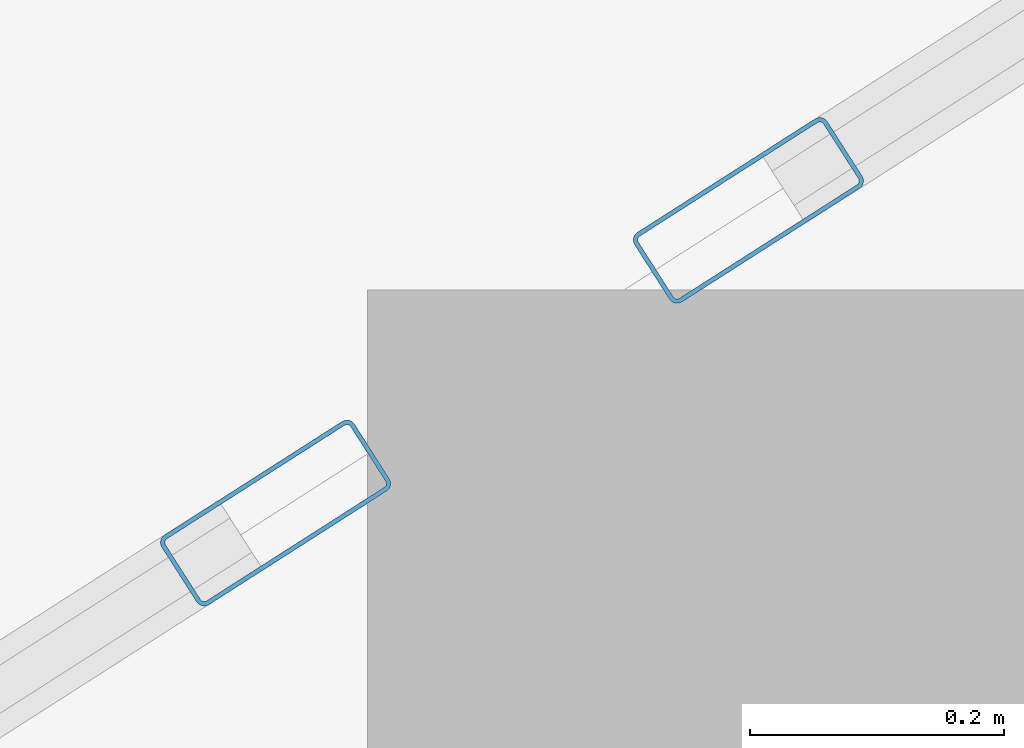
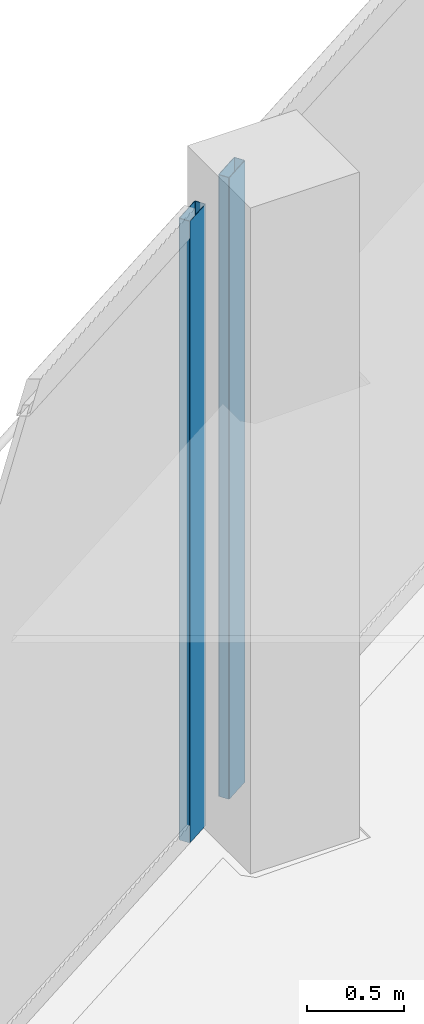
# One storey, part 16 of 42: 2 members, 2 elements without a shape of their own.
"""IFC4 building model written with IfcOpenShell, lengths in metres."""

from ifc_helpers import new_model, si_unit, direction, frame, origin, origin_2d, place, context, subcontext, project, spatial, hollow_rectangle, extrude, material, layer, layer_set, material_profile, profile_set, type_object, element, aggregate, save


model = new_model("IFC4")

# Units and contexts
model_context = context("Model", 3, precision=1e-05, world=origin(), true_north=direction((0.0, 1.0)))
body_context = subcontext(model_context, "Body", "Model", "MODEL_VIEW")
ifc_project = project(units=[si_unit("LENGTHUNIT", "METRE"), si_unit("AREAUNIT", "SQUARE_METRE"), si_unit("VOLUMEUNIT", "CUBIC_METRE"), si_unit("PLANEANGLEUNIT", "RADIAN"), si_unit("MASSUNIT", "GRAM", prefix="KILO")], contexts=[model_context])

# Site, building, storey
site_placement = place(None, origin())
site = spatial("IfcSite", under=ifc_project, at=site_placement, CompositionType="ELEMENT")
building_placement = place(site_placement, origin())
building = spatial("IfcBuilding", under=site, at=building_placement, Name="Qorvath Tower", CompositionType="ELEMENT")
storey_placement = place(building_placement, frame((0.0, 0.0, 32.39990234375)))
storey = spatial("IfcBuildingStorey", under=building, at=storey_placement, Name="L06", CompositionType="ELEMENT", Elevation=32.39990234375)

# Curtain wall, member
ifc_material_1 = material(Name="Anodised aluminium and triple low-E glass", Category="aluminium")
ifc_layer = layer(ifc_material_1, 0.179931640625)
ifc_layer_set = layer_set([ifc_layer], Name="CW-SYS-2")
curtain_wall_type = type_object("IfcCurtainWallType", Name="CW-SYS-2", PredefinedType="NOTDEFINED", material=ifc_layer_set)
curtain_wall_1_placement = place(storey_placement, origin())
curtain_wall_1 = element("IfcCurtainWall", 1, at=curtain_wall_1_placement, inside=storey, type_object=curtain_wall_type, Name="Curtain Wall CW-2 CW-T-L06-16.2", PredefinedType="NOTDEFINED")
ifc_material_2 = material(Name="Anodised aluminium 6063-T6", Category="aluminium")
ifc_material_profile = material_profile(ifc_material_2, hollow_rectangle(XDim=0.06494140625, YDim=0.179931640625, WallThickness=0.00341796875, InnerFilletRadius=0.00341796875, OuterFilletRadius=0.007080078125, at=origin_2d()), Name="CWM 180x65")
ifc_profile_set = profile_set([ifc_material_profile], Name="Anodised aluminium 6063-T6")
member_type = type_object("IfcMemberType", Name="CWM-180", PredefinedType="MULLION", material=ifc_profile_set)
member_1_placement = place(storey_placement, frame((-40.357421875, 17.34326171875, 0.0), z_axis=(0.0, 0.0, 1.0), x_axis=(0.538534725955, -0.842603316479, 0.0)))
member_1 = element("IfcMember", 2, at=member_1_placement, type_object=member_type, Name="CW-2 mullion 5", PredefinedType="MULLION", context=body_context, shape_type="SweptSolid", body=[
    extrude(hollow_rectangle(XDim=0.06494140625, YDim=0.179931640625, WallThickness=0.00341796875, InnerFilletRadius=0.00341796875, OuterFilletRadius=0.007080078125, at=origin_2d()), origin(), (0.0, 0.0, 1.0), 3.920166015625),
])
aggregate(curtain_wall_1, [member_1])

curtain_wall_2_placement = place(storey_placement, origin())
curtain_wall_2 = element("IfcCurtainWall", 3, at=curtain_wall_2_placement, inside=storey, type_object=curtain_wall_type, Name="Curtain Wall CW-2 CW-T-L06-16.3", PredefinedType="NOTDEFINED")
member_2_placement = place(storey_placement, frame((-40.729736328125, 17.10498046875, 0.0), z_axis=(0.0, 0.0, 1.0), x_axis=(0.538528741164, -0.84260714152, 0.0)))
member_2 = element("IfcMember", 4, at=member_2_placement, type_object=member_type, Name="CW-2 mullion 1", PredefinedType="MULLION", context=body_context, shape_type="SweptSolid", body=[
    extrude(hollow_rectangle(XDim=0.06494140625, YDim=0.179931640625, WallThickness=0.00341796875, InnerFilletRadius=0.00341796875, OuterFilletRadius=0.007080078125, at=origin_2d()), origin(), (0.0, 0.0, 1.0), 3.920166015625),
])
aggregate(curtain_wall_2, [member_2])

save(model, "model.ifc")
